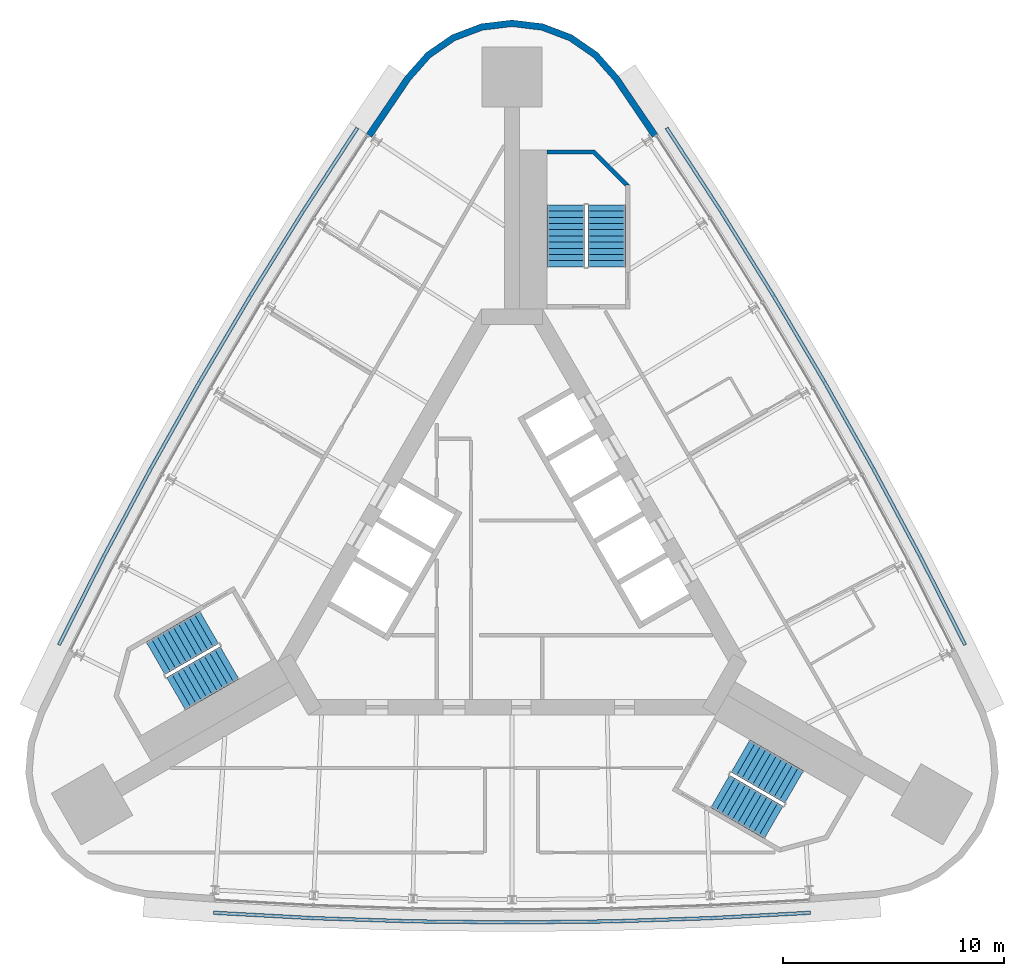
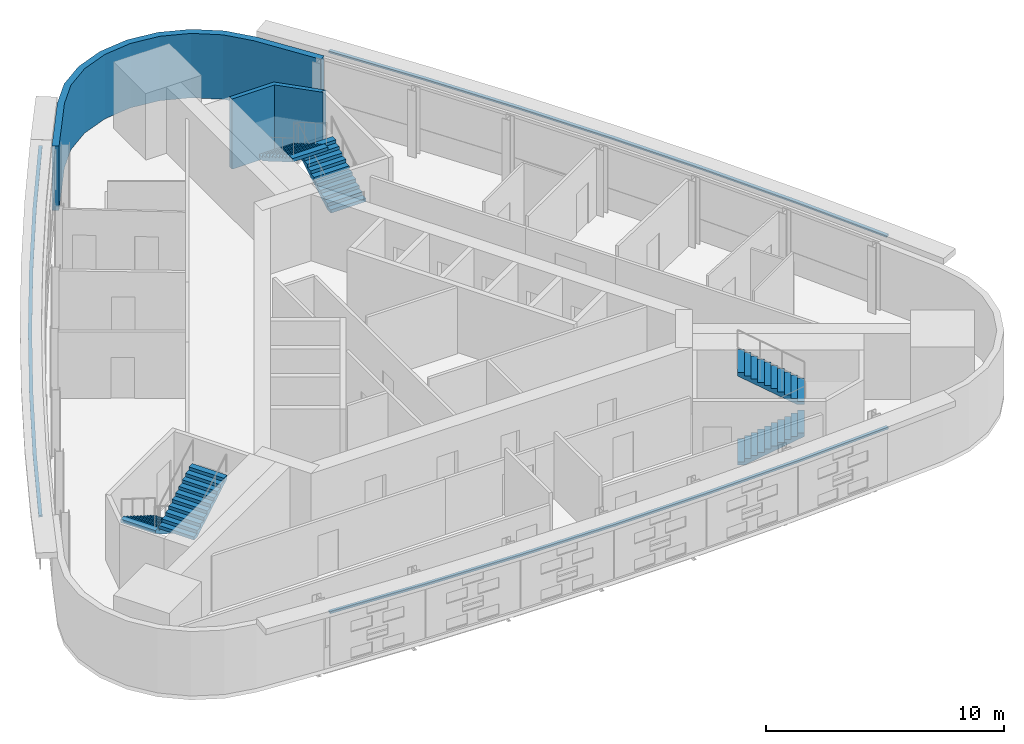
# One storey, part 9 of 10: 6 stair flights, 3 discrete accessories, 2 walls, 3 elements without a shape of their own.
"""IFC4 building model written with IfcOpenShell, lengths in metres."""

from ifc_helpers import new_model, si_unit, direction, frame, origin, place, context, subcontext, project, spatial, polyline, outline, extrude, material, layer, layer_set, type_object, element, aggregate, save


model = new_model("IFC4")

# Units and contexts
model_context = context("Model", 3, precision=1e-05, world=origin(), true_north=direction((0.0, 1.0)))
body_context = subcontext(model_context, "Body", "Model", "MODEL_VIEW")
ifc_project = project(units=[si_unit("LENGTHUNIT", "METRE"), si_unit("AREAUNIT", "SQUARE_METRE"), si_unit("VOLUMEUNIT", "CUBIC_METRE"), si_unit("PLANEANGLEUNIT", "RADIAN"), si_unit("MASSUNIT", "GRAM", prefix="KILO")], contexts=[model_context])

# Site, building, storey
site_placement = place(None, origin())
site = spatial("IfcSite", under=ifc_project, at=site_placement, CompositionType="ELEMENT")
building_placement = place(site_placement, origin())
building = spatial("IfcBuilding", under=site, at=building_placement, Name="Noor Cloister Tower", CompositionType="ELEMENT")
storey_placement = place(building_placement, frame((0.0, 0.0, 195.89990234375)))
storey = spatial("IfcBuildingStorey", under=building, at=storey_placement, Name="L50", CompositionType="ELEMENT", Elevation=195.89990234375)

# Walls
ifc_material_1 = material(Name="Limestone", Category="masonry")
ifc_layer = layer(ifc_material_1, 0.300048828125)
ifc_layer_set = layer_set([ifc_layer], Name="Limestone cladding 300")
wall_type_1 = type_object("IfcWallType", Name="Limestone cladding 300", PredefinedType="NOTDEFINED", material=ifc_layer_set)
wall_1_placement = place(storey_placement, origin())
element("IfcWall", 1, at=wall_1_placement, inside=storey, type_object=wall_type_1, Name="Limestone pier cladding L50 3.1", PredefinedType="NOTDEFINED", context=body_context, shape_type="SweptSolid", body=[
    extrude(outline(polyline([(6.59521484375, 19.38525390625), (4.82177734375, 21.9990234375), (3.88525390625, 23.056884765625), (2.72314453125, 23.859619140625), (1.40234375, 24.36083984375), (0.0, 24.531005859375), (-1.40234375, 24.36083984375), (-2.72314453125, 23.859619140625), (-3.88525390625, 23.056884765625), (-4.82177734375, 21.9990234375), (-6.59521484375, 19.38525390625), (-6.346923828125, 19.216796875), (-4.584228515625, 21.814697265625), (-3.684814453125, 22.830810546875), (-2.58251953125, 23.592041015625), (-1.329833984375, 24.0673828125), (0.0, 24.22900390625), (1.329833984375, 24.0673828125), (2.58251953125, 23.592041015625), (3.684814453125, 22.830810546875), (4.584228515625, 21.814697265625), (6.346923828125, 19.216796875), (6.59521484375, 19.38525390625)])), origin(), (0.0, 0.0, 1.0), 3.300048828125),
])
ifc_material_2 = material(Name="Concrete C70/85", Category="concrete")
wall_type_2 = type_object("IfcWallType", Name="Stair far end wall C70/85", PredefinedType="SHEAR", material=ifc_material_2)
wall_2_placement = place(storey_placement, frame((0.0, 0.0, -0.199951171875)))
element("IfcWall", 2, at=wall_2_placement, inside=storey, type_object=wall_type_2, Name="Stair enclosure wall ST1 L50 far end", PredefinedType="SHEAR", context=body_context, shape_type="SweptSolid", body=[
    extrude(outline(polyline([(5.335693359375, 17.056396484375), (3.735595703125, 18.656494140625), (1.585693359375, 18.656494140625), (1.585693359375, 18.456298828125), (3.65283203125, 18.456298828125), (5.135498046875, 16.9736328125), (5.135498046875, 17.056396484375), (5.135498046875, 17.056396484375), (5.135498046875, 17.056396484375), (5.135498046875, 17.056396484375), (5.135498046875, 17.056396484375), (5.135498046875, 17.056396484375), (5.135498046875, 17.056396484375), (5.135498046875, 17.056396484375), (5.135498046875, 17.056396484375), (5.135498046875, 17.056396484375), (5.135498046875, 17.056396484375), (5.135498046875, 17.056396484375), (5.135498046875, 17.056396484375), (5.135498046875, 17.056396484375), (5.135498046875, 17.056396484375), (5.135498046875, 17.056396484375), (5.135498046875, 17.056396484375), (5.335693359375, 17.056396484375)])), origin(), (0.0, 0.0, 1.0), 3.60009765625),
])

# Stair, stair flights
ifc_material_3 = material(Name="Concrete C40/50", Category="concrete")
stair_type = type_object("IfcStairType", Name="Exit stair 22 risers", PredefinedType="HALF_TURN_STAIR", material=ifc_material_3)
stair_1_placement = place(storey_placement, origin())
stair_1 = element("IfcStair", 3, at=stair_1_placement, inside=storey, type_object=stair_type, Name="Exit stair ST1 L50", PredefinedType="HALF_TURN_STAIR")
ifc_material_4 = material(Name="Concrete C40/50", Category="concrete")
stair_flight_type = type_object("IfcStairFlightType", Name="Exit stair flight", PredefinedType="STRAIGHT", material=ifc_material_4)
stair_flight_1_placement = place(storey_placement, frame((4.28564453125, 13.3564453125, 0.0), z_axis=(0.0, 0.0, 1.0), x_axis=(0.0, 1.0, 0.0)))
stair_flight_1 = element("IfcStairFlight", 4, at=stair_flight_1_placement, type_object=stair_flight_type, Name="ST1 flight 1", NumberOfRisers=11, NumberOfTreads=10, PredefinedType="STRAIGHT", RiserHeight=0.163636364, TreadLength=0.28, context=body_context, shape_type="SweptSolid", body=[
    extrude(outline(polyline([(0.0, 0.0), (0.0, 0.16357421875), (0.280029296875, 0.16357421875), (0.280029296875, 0.327392578125), (0.56005859375, 0.327392578125), (0.56005859375, 0.490966796875), (0.840087890625, 0.490966796875), (0.840087890625, 0.654541015625), (1.1201171875, 0.654541015625), (1.1201171875, 0.818115234375), (1.39990234375, 0.818115234375), (1.39990234375, 0.98193359375), (1.679931640625, 0.98193359375), (1.679931640625, 1.1455078125), (1.9599609375, 1.1455078125), (1.9599609375, 1.30908203125), (2.239990234375, 1.30908203125), (2.239990234375, 1.47265625), (2.52001953125, 1.47265625), (2.52001953125, 1.636474609375), (2.800048828125, 1.636474609375), (2.800048828125, 1.800048828125), (2.800048828125, 1.462646484375), (0.297119140625, 0.0), (0.0, 0.0)])), frame((0.0, 0.85009765625, 0.0), z_axis=(0.0, -1.0, 0.0), x_axis=(1.0, 0.0, 0.0)), (0.0, 0.0, 1.0), 1.699951171875),
])
stair_flight_2_placement = place(storey_placement, frame((2.435546875, 16.156494140625, 1.800048828125), z_axis=(0.0, 0.0, 1.0), x_axis=(0.0, -1.0, 0.0)))
stair_flight_2 = element("IfcStairFlight", 5, at=stair_flight_2_placement, type_object=stair_flight_type, Name="ST1 flight 2", NumberOfRisers=11, NumberOfTreads=10, PredefinedType="STRAIGHT", RiserHeight=0.163636364, TreadLength=0.28, context=body_context, shape_type="SweptSolid", body=[
    extrude(outline(polyline([(0.0, 0.0), (0.0, 0.16357421875), (0.280029296875, 0.16357421875), (0.280029296875, 0.327392578125), (0.56005859375, 0.327392578125), (0.56005859375, 0.490966796875), (0.840087890625, 0.490966796875), (0.840087890625, 0.654541015625), (1.1201171875, 0.654541015625), (1.1201171875, 0.818115234375), (1.39990234375, 0.818115234375), (1.39990234375, 0.98193359375), (1.679931640625, 0.98193359375), (1.679931640625, 1.1455078125), (1.9599609375, 1.1455078125), (1.9599609375, 1.30908203125), (2.239990234375, 1.30908203125), (2.239990234375, 1.47265625), (2.52001953125, 1.47265625), (2.52001953125, 1.636474609375), (2.800048828125, 1.636474609375), (2.800048828125, 1.800048828125), (2.800048828125, 1.462646484375), (0.297119140625, 0.0), (0.0, 0.0)])), frame((0.0, 0.85009765625, 0.0), z_axis=(0.0, -1.0, 0.0), x_axis=(1.0, 0.0, 0.0)), (0.0, 0.0, 1.0), 1.699951171875),
])
aggregate(stair_1, [stair_flight_1, stair_flight_2])

stair_2_placement = place(storey_placement, origin())
stair_2 = element("IfcStair", 6, at=stair_2_placement, inside=storey, type_object=stair_type, Name="Exit stair ST2 L50", PredefinedType="HALF_TURN_STAIR")
stair_flight_3_placement = place(storey_placement, frame((-13.709716796875, -2.966796875, 0.0), z_axis=(0.0, 0.0, 1.0), x_axis=(-0.866025403784, -0.5, 0.0)))
stair_flight_3 = element("IfcStairFlight", 7, at=stair_flight_3_placement, type_object=stair_flight_type, Name="ST2 flight 1", NumberOfRisers=11, NumberOfTreads=10, PredefinedType="STRAIGHT", RiserHeight=0.163636364, TreadLength=0.28, context=body_context, shape_type="SweptSolid", body=[
    extrude(outline(polyline([(0.0, 0.0), (0.0, 0.16357421875), (0.280029296875, 0.16357421875), (0.280029296875, 0.327392578125), (0.56005859375, 0.327392578125), (0.56005859375, 0.490966796875), (0.840087890625, 0.490966796875), (0.840087890625, 0.654541015625), (1.1201171875, 0.654541015625), (1.1201171875, 0.818115234375), (1.39990234375, 0.818115234375), (1.39990234375, 0.98193359375), (1.679931640625, 0.98193359375), (1.679931640625, 1.1455078125), (1.9599609375, 1.1455078125), (1.9599609375, 1.30908203125), (2.239990234375, 1.30908203125), (2.239990234375, 1.47265625), (2.52001953125, 1.47265625), (2.52001953125, 1.636474609375), (2.800048828125, 1.636474609375), (2.800048828125, 1.800048828125), (2.800048828125, 1.462646484375), (0.297119140625, 0.0), (0.0, 0.0)])), frame((0.0, 0.85009765625, 0.0), z_axis=(0.0, -1.0, 0.0), x_axis=(1.0, 0.0, 0.0)), (0.0, 0.0, 1.0), 1.699951171875),
])
stair_flight_4_placement = place(storey_placement, frame((-15.209716796875, -5.968994140625, 1.800048828125), z_axis=(0.0, 0.0, 1.0), x_axis=(0.866025403784, 0.5, 0.0)))
stair_flight_4 = element("IfcStairFlight", 8, at=stair_flight_4_placement, type_object=stair_flight_type, Name="ST2 flight 2", NumberOfRisers=11, NumberOfTreads=10, PredefinedType="STRAIGHT", RiserHeight=0.163636364, TreadLength=0.28, context=body_context, shape_type="SweptSolid", body=[
    extrude(outline(polyline([(0.0, 0.0), (0.0, 0.16357421875), (0.280029296875, 0.16357421875), (0.280029296875, 0.327392578125), (0.56005859375, 0.327392578125), (0.56005859375, 0.490966796875), (0.840087890625, 0.490966796875), (0.840087890625, 0.654541015625), (1.1201171875, 0.654541015625), (1.1201171875, 0.818115234375), (1.39990234375, 0.818115234375), (1.39990234375, 0.98193359375), (1.679931640625, 0.98193359375), (1.679931640625, 1.1455078125), (1.9599609375, 1.1455078125), (1.9599609375, 1.30908203125), (2.239990234375, 1.30908203125), (2.239990234375, 1.47265625), (2.52001953125, 1.47265625), (2.52001953125, 1.636474609375), (2.800048828125, 1.636474609375), (2.800048828125, 1.800048828125), (2.800048828125, 1.462646484375), (0.297119140625, 0.0), (0.0, 0.0)])), frame((0.0, 0.85009765625, 0.0), z_axis=(0.0, -1.0, 0.0), x_axis=(1.0, 0.0, 0.0)), (0.0, 0.0, 1.0), 1.699951171875),
])
aggregate(stair_2, [stair_flight_3, stair_flight_4])

stair_3_placement = place(storey_placement, origin())
stair_3 = element("IfcStair", 9, at=stair_3_placement, inside=storey, type_object=stair_type, Name="Exit stair ST3 L50", PredefinedType="HALF_TURN_STAIR")
stair_flight_5_placement = place(storey_placement, frame((9.424072265625, -10.3896484375, 0.0), z_axis=(0.0, 0.0, 1.0), x_axis=(0.866025403784, -0.5, 0.0)))
stair_flight_5 = element("IfcStairFlight", 10, at=stair_flight_5_placement, type_object=stair_flight_type, Name="ST3 flight 1", NumberOfRisers=11, NumberOfTreads=10, PredefinedType="STRAIGHT", RiserHeight=0.163636364, TreadLength=0.28, context=body_context, shape_type="SweptSolid", body=[
    extrude(outline(polyline([(0.0, 0.0), (0.0, 0.16357421875), (0.280029296875, 0.16357421875), (0.280029296875, 0.327392578125), (0.56005859375, 0.327392578125), (0.56005859375, 0.490966796875), (0.840087890625, 0.490966796875), (0.840087890625, 0.654541015625), (1.1201171875, 0.654541015625), (1.1201171875, 0.818115234375), (1.39990234375, 0.818115234375), (1.39990234375, 0.98193359375), (1.679931640625, 0.98193359375), (1.679931640625, 1.1455078125), (1.9599609375, 1.1455078125), (1.9599609375, 1.30908203125), (2.239990234375, 1.30908203125), (2.239990234375, 1.47265625), (2.52001953125, 1.47265625), (2.52001953125, 1.636474609375), (2.800048828125, 1.636474609375), (2.800048828125, 1.800048828125), (2.800048828125, 1.462646484375), (0.297119140625, 0.0), (0.0, 0.0)])), frame((0.0, 0.85009765625, 0.0), z_axis=(0.0, -1.0, 0.0), x_axis=(1.0, 0.0, 0.0)), (0.0, 0.0, 1.0), 1.699951171875),
])
stair_flight_6_placement = place(storey_placement, frame((12.77392578125, -10.1875, 1.800048828125), z_axis=(0.0, 0.0, 1.0), x_axis=(-0.866025403784, 0.5, 0.0)))
stair_flight_6 = element("IfcStairFlight", 11, at=stair_flight_6_placement, type_object=stair_flight_type, Name="ST3 flight 2", NumberOfRisers=11, NumberOfTreads=10, PredefinedType="STRAIGHT", RiserHeight=0.163636364, TreadLength=0.28, context=body_context, shape_type="SweptSolid", body=[
    extrude(outline(polyline([(0.0, 0.0), (0.0, 0.16357421875), (0.280029296875, 0.16357421875), (0.280029296875, 0.327392578125), (0.56005859375, 0.327392578125), (0.56005859375, 0.490966796875), (0.840087890625, 0.490966796875), (0.840087890625, 0.654541015625), (1.1201171875, 0.654541015625), (1.1201171875, 0.818115234375), (1.39990234375, 0.818115234375), (1.39990234375, 0.98193359375), (1.679931640625, 0.98193359375), (1.679931640625, 1.1455078125), (1.9599609375, 1.1455078125), (1.9599609375, 1.30908203125), (2.239990234375, 1.30908203125), (2.239990234375, 1.47265625), (2.52001953125, 1.47265625), (2.52001953125, 1.636474609375), (2.800048828125, 1.636474609375), (2.800048828125, 1.800048828125), (2.800048828125, 1.462646484375), (0.297119140625, 0.0), (0.0, 0.0)])), frame((0.0, 0.85009765625, 0.0), z_axis=(0.0, -1.0, 0.0), x_axis=(1.0, 0.0, 0.0)), (0.0, 0.0, 1.0), 1.699951171875),
])
aggregate(stair_3, [stair_flight_5, stair_flight_6])

# Discrete accessories
ifc_material_5 = material(Name="Stainless steel grade 316", Category="steel")
discrete_accessory_type = type_object("IfcDiscreteAccessoryType", Name="Stainless hanger rail", PredefinedType="BRACKET", material=ifc_material_5)
discrete_accessory_1_placement = place(storey_placement, frame((0.0, 0.0, 3.2001953125)))
element("IfcDiscreteAccessory", 12, at=discrete_accessory_1_placement, inside=storey, type_object=discrete_accessory_type, Name="Hanger rail L50", PredefinedType="BRACKET", context=body_context, shape_type="SweptSolid", body=[
    extrude(outline(polyline([(-7.064208984375, 19.69091796875), (-9.52490234375, 15.916259765625), (-11.906494140625, 12.083984375), (-14.204833984375, 8.201171875), (-16.41845703125, 4.269287109375), (-18.54638671875, 0.290771484375), (-20.5849609375, -3.727783203125), (-20.4423828125, -3.800048828125), (-18.404541015625, 0.216796875), (-16.278076171875, 4.1923828125), (-14.066162109375, 8.12109375), (-11.769775390625, 12.0009765625), (-9.389892578125, 15.830322265625), (-6.93017578125, 19.603759765625), (-7.064208984375, 19.69091796875)])), origin(), (0.0, 0.0, 1.0), 0.099853515625),
])
discrete_accessory_2_placement = place(storey_placement, frame((0.0, 0.0, 3.2001953125)))
element("IfcDiscreteAccessory", 13, at=discrete_accessory_2_placement, inside=storey, type_object=discrete_accessory_type, Name="Hanger rail L50", PredefinedType="BRACKET", context=body_context, shape_type="SweptSolid", body=[
    extrude(outline(polyline([(-13.520751953125, -15.96337890625), (-9.021484375, -16.20703125), (-4.51171875, -16.353515625), (0.0, -16.40234375), (4.51171875, -16.353515625), (9.021484375, -16.20703125), (13.520751953125, -15.96337890625), (13.51220703125, -15.803466796875), (9.014404296875, -16.047119140625), (4.50830078125, -16.193359375), (0.0, -16.2421875), (-4.50830078125, -16.193359375), (-9.014404296875, -16.047119140625), (-13.51220703125, -15.803466796875), (-13.520751953125, -15.96337890625)])), origin(), (0.0, 0.0, 1.0), 0.099853515625),
])
discrete_accessory_3_placement = place(storey_placement, frame((0.0, 0.0, 3.2001953125)))
element("IfcDiscreteAccessory", 14, at=discrete_accessory_3_placement, inside=storey, type_object=discrete_accessory_type, Name="Hanger rail L50", PredefinedType="BRACKET", context=body_context, shape_type="SweptSolid", body=[
    extrude(outline(polyline([(20.5849609375, -3.727783203125), (18.54638671875, 0.290771484375), (16.41845703125, 4.269287109375), (14.204833984375, 8.201171875), (11.906494140625, 12.083984375), (9.52490234375, 15.916259765625), (7.064208984375, 19.69091796875), (6.93017578125, 19.603759765625), (9.389892578125, 15.830322265625), (11.769775390625, 12.0009765625), (14.066162109375, 8.12109375), (16.278076171875, 4.1923828125), (18.404541015625, 0.216796875), (20.4423828125, -3.800048828125), (20.5849609375, -3.727783203125)])), origin(), (0.0, 0.0, 1.0), 0.099853515625),
])

save(model, "model.ifc")
